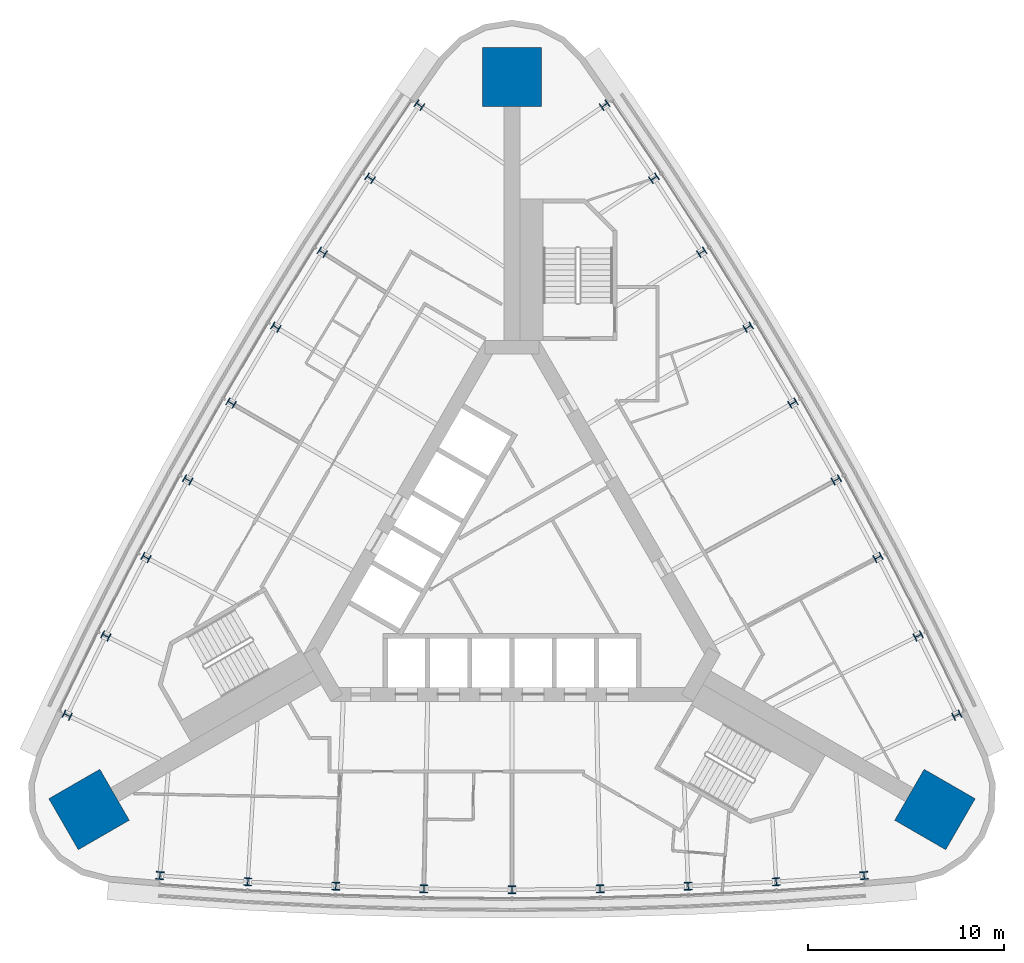
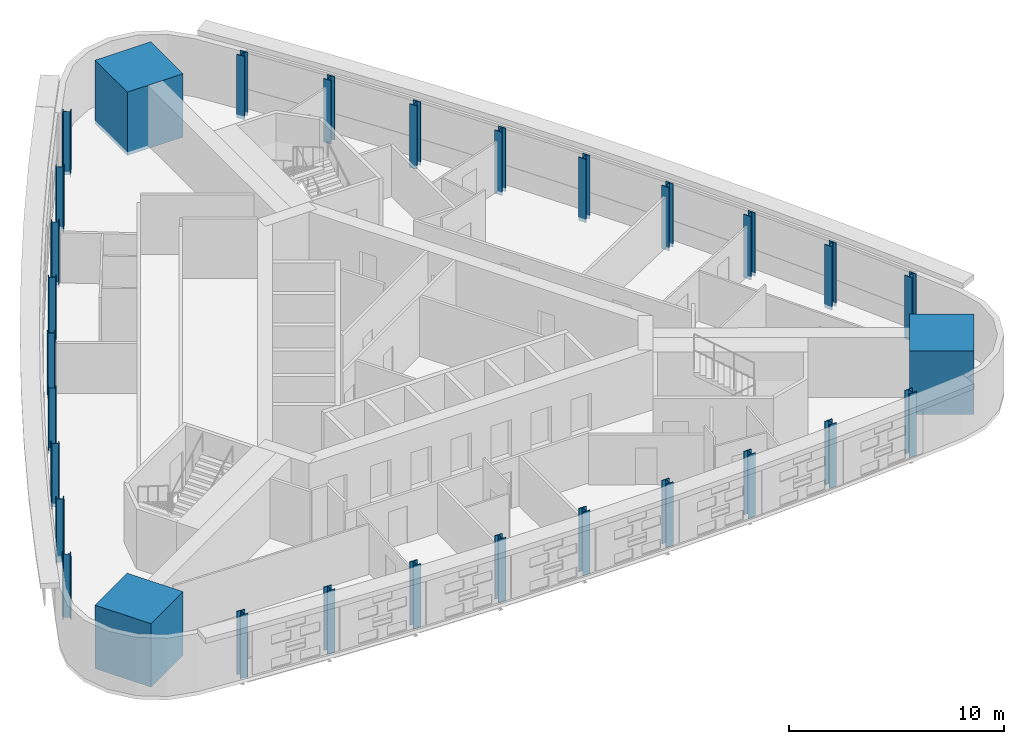
# One storey, part 1 of 11: 30 columns.
"""IFC4 building model written with IfcOpenShell, lengths in metres."""

from ifc_helpers import new_model, si_unit, direction, frame, origin, origin_2d, place, context, subcontext, project, spatial, rectangle, i_section, extrude, material, material_profile, profile_set, type_object, element, save


model = new_model("IFC4")

# Units and contexts
model_context = context("Model", 3, precision=1e-05, world=origin(), true_north=direction((0.0, 1.0)))
body_context = subcontext(model_context, "Body", "Model", "MODEL_VIEW")
ifc_project = project(units=[si_unit("LENGTHUNIT", "METRE"), si_unit("AREAUNIT", "SQUARE_METRE"), si_unit("VOLUMEUNIT", "CUBIC_METRE"), si_unit("PLANEANGLEUNIT", "RADIAN"), si_unit("MASSUNIT", "GRAM", prefix="KILO")], contexts=[model_context])

# Site, building, storey
site_placement = place(None, origin())
site = spatial("IfcSite", under=ifc_project, at=site_placement, CompositionType="ELEMENT")
building_placement = place(site_placement, origin())
building = spatial("IfcBuilding", under=site, at=building_placement, Name="Noor Cloister Tower", CompositionType="ELEMENT")
storey_placement = place(building_placement, frame((0.0, 0.0, 109.5)))
storey = spatial("IfcBuildingStorey", under=building, at=storey_placement, Name="L28", CompositionType="ELEMENT", Elevation=109.5)

# Columns
ifc_material_1 = material(Name="Steel ASTM A992 Gr 50", Category="steel")
ifc_material_profile_1 = material_profile(ifc_material_1, i_section(OverallWidth=0.40087890625, OverallDepth=0.39892578125, WebThickness=0.02490234375, FlangeThickness=0.03955078125, FilletRadius=0.015380859375, at=origin_2d()), Name="W360x314")
ifc_profile_set_1 = profile_set([ifc_material_profile_1], Name="Steel ASTM A992 Gr 50")
column_type_1 = type_object("IfcColumnType", Name="Column W360x314", PredefinedType="COLUMN", material=ifc_profile_set_1)
for number, where, z_axis, x_axis, name in (
    (1, (-4.71826171875, 23.435302734375, -0.199951171875), (0.0, 0.0, 1.0), (-0.567868358088, -0.823119388596, 0.0), "Column NW 01 L28"),
    (2, (-7.230224609375, 19.715087890625, -0.199951171875), (0.0, 0.0, 1.0), (-0.551227784266, -0.834354798544, 0.0), "Column NW 02 L28"),
    (3, (-9.666748046875, 15.945068359375, -0.199951171875), (0.0, 0.0, 1.0), (-0.534364986763, -0.845253844074, 0.0), "Column NW 03 L28"),
    (4, (-12.02734375, 12.126953125, -0.199951171875), (0.0, 0.0, 1.0), (-0.517286763685, -0.855812131321, 0.0), "Column NW 04 L28"),
    (5, (-14.310546875, 8.26220703125, -0.199951171875), (0.0, 0.0, 1.0), (-0.5, -0.866025403784, 0.0), "Column NW 05 L28"),
    (6, (-16.515869140625, 4.3525390625, -0.199951171875), (0.0, 0.0, 1.0), (-0.482511664749, -0.875889544053, 0.0), "Column NW 06 L28"),
    (7, (-18.642333984375, 0.399169921875, -0.199951171875), (0.0, 0.0, 1.0), (-0.464828808233, -0.885400575467, 0.0), "Column NW 07 L28"),
    (8, (-20.68896484375, -3.59619140625, -0.199951171875), (0.0, 0.0, 1.0), (-0.446958559175, -0.894554663718, 0.0), "Column NW 08 L28"),
    (9, (-22.65478515625, -7.631591796875, -0.199951171875), (0.0, 0.0, 1.0), (-0.428908121828, -0.903348118407, 0.0), "Column NW 09 L28"),
    (10, (-17.9365234375, -15.8037109375, -0.199951171875), (0.0, 0.0, 1.0), (0.996776479916, -0.080228729812, 0.0), "Column S 01 L28"),
    (11, (-13.458740234375, -16.119140625, -0.199951171875), (0.0, 0.0, 1.0), (0.998186343441, -0.060199865175, 0.0), "Column S 02 L28"),
    (12, (-8.9755859375, -16.34423828125, -0.199951171875), (0.0, 0.0, 1.0), (0.999193794996, -0.040146731393, 0.0), "Column S 03 L28"),
    (13, (-4.48876953125, -16.4794921875, -0.199951171875), (0.0, 0.0, 1.0), (0.999798428433, -0.020077412732, 0.0), "Column S 04 L28"),
    (14, (0.0, -16.5244140625, -0.199951171875), (0.0, 0.0, 1.0), (1.0, 0.0, 0.0), "Column S 05 L28"),
    (15, (4.48876953125, -16.4794921875, -0.199951171875), (0.0, 0.0, 1.0), (0.999798428433, 0.020077412732, 0.0), "Column S 06 L28"),
    (16, (8.9755859375, -16.34423828125, -0.199951171875), (0.0, 0.0, 1.0), (0.999193794996, 0.040146731393, 0.0), "Column S 07 L28"),
    (17, (13.458740234375, -16.119140625, -0.199951171875), (0.0, 0.0, 1.0), (0.998186343441, 0.060199865175, 0.0), "Column S 08 L28"),
    (18, (17.9365234375, -15.8037109375, -0.199951171875), (0.0, 0.0, 1.0), (0.996776479916, 0.080228729812, 0.0), "Column S 09 L28"),
    (19, (22.65478515625, -7.631591796875, -0.199951171875), (0.0, 0.0, 1.0), (-0.428908121828, 0.903348118407, 0.0), "Column NE 01 L28"),
    (20, (20.68896484375, -3.59619140625, -0.199951171875), (0.0, 0.0, 1.0), (-0.446958559175, 0.894554663718, 0.0), "Column NE 02 L28"),
    (21, (18.642333984375, 0.399169921875, -0.199951171875), (0.0, 0.0, 1.0), (-0.464828808233, 0.885400575467, 0.0), "Column NE 03 L28"),
    (22, (16.515869140625, 4.3525390625, -0.199951171875), (0.0, 0.0, 1.0), (-0.482511664749, 0.875889544053, 0.0), "Column NE 04 L28"),
    (23, (14.310546875, 8.26220703125, -0.199951171875), (0.0, 0.0, 1.0), (-0.5, 0.866025403784, 0.0), "Column NE 05 L28"),
    (24, (12.02734375, 12.126953125, -0.199951171875), (0.0, 0.0, 1.0), (-0.517286763685, 0.855812131321, 0.0), "Column NE 06 L28"),
    (25, (9.666748046875, 15.945068359375, -0.199951171875), (0.0, 0.0, 1.0), (-0.534364986763, 0.845253844074, 0.0), "Column NE 07 L28"),
    (26, (7.230224609375, 19.715087890625, -0.199951171875), (0.0, 0.0, 1.0), (-0.551227784266, 0.834354798544, 0.0), "Column NE 08 L28"),
    (27, (4.71826171875, 23.435302734375, -0.199951171875), (0.0, 0.0, 1.0), (-0.567868358088, 0.823119388596, 0.0), "Column NE 09 L28"),
):
    element("IfcColumn", number, at=place(storey_placement, frame(where, z_axis=z_axis, x_axis=x_axis)), inside=storey, type_object=column_type_1, Name=name, PredefinedType="COLUMN", context=body_context, shape_type="SweptSolid", body=[
        extrude(i_section(OverallWidth=0.40087890625, OverallDepth=0.39892578125, WebThickness=0.02490234375, FlangeThickness=0.03955078125, FilletRadius=0.015380859375, at=origin_2d()), origin(), (0.0, 0.0, 1.0), 3.599853515625),
    ])
ifc_material_2 = material(Name="Concrete C80/95", Category="concrete")
ifc_material_profile_2 = material_profile(ifc_material_2, rectangle(XDim=3.0, YDim=3.0, at=origin_2d()), Name="RC 3000x3000")
ifc_profile_set_2 = profile_set([ifc_material_profile_2], Name="Concrete C80/95")
column_type_2 = type_object("IfcColumnType", Name="Corner pier 3000 x 3000 C80/95", PredefinedType="COLUMN", material=ifc_profile_set_2)
for number, where, z_axis, x_axis, name in (
    (28, (0.0, 24.875, -0.199951171875), (0.0, 0.0, 1.0), (0.0, 1.0, 0.0), "Corner pier N L28"),
    (29, (-21.54248046875, -12.4375, -0.199951171875), (0.0, 0.0, 1.0), (-0.866025403784, -0.5, 0.0), "Corner pier SW L28"),
    (30, (21.54248046875, -12.4375, -0.199951171875), (0.0, 0.0, 1.0), (0.866025403784, -0.5, 0.0), "Corner pier SE L28"),
):
    element("IfcColumn", number, at=place(storey_placement, frame(where, z_axis=z_axis, x_axis=x_axis)), inside=storey, type_object=column_type_2, Name=name, PredefinedType="COLUMN", context=body_context, shape_type="SweptSolid", body=[
        extrude(rectangle(XDim=3.0, YDim=3.0, at=origin_2d()), origin(), (0.0, 0.0, 1.0), 3.599853515625),
    ])

save(model, "model.ifc")
